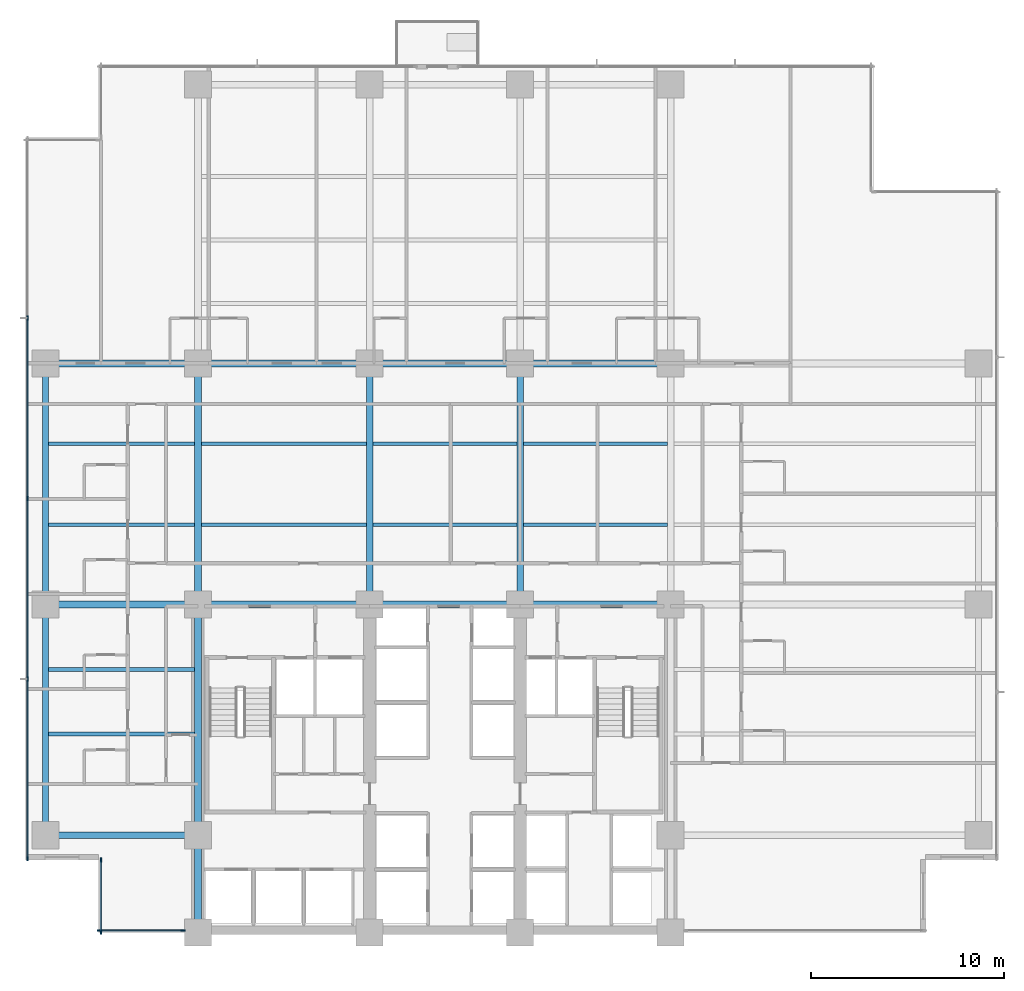
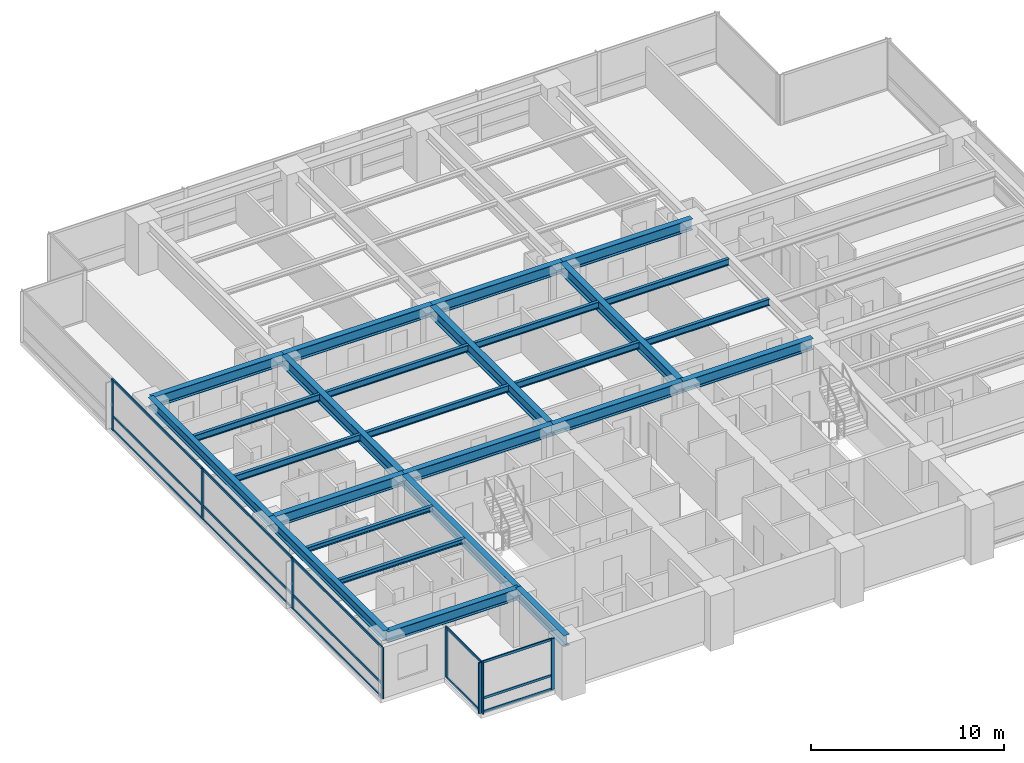
# One storey, part 2 of 17: 26 beams, 22 members, 3 elements without a shape of their own.
"""IFC4 building model written with IfcOpenShell, lengths in metres."""

from ifc_helpers import new_model, si_unit, direction, frame, origin, origin_2d, place, context, subcontext, project, spatial, rectangle, i_section, extrude, material, layer, layer_set, material_profile, profile_set, type_object, element, aggregate, save


model = new_model("IFC4")

# Units and contexts
model_context = context("Model", 3, precision=1e-05, world=origin(), true_north=direction((0.0, 1.0)))
body_context = subcontext(model_context, "Body", "Model", "MODEL_VIEW")
ifc_project = project(units=[si_unit("LENGTHUNIT", "METRE"), si_unit("AREAUNIT", "SQUARE_METRE"), si_unit("VOLUMEUNIT", "CUBIC_METRE"), si_unit("PLANEANGLEUNIT", "RADIAN"), si_unit("MASSUNIT", "GRAM", prefix="KILO")], contexts=[model_context])

# Site, building, storey
site_placement = place(None, origin())
site = spatial("IfcSite", under=ifc_project, at=site_placement, CompositionType="ELEMENT")
building_placement = place(site_placement, origin())
building = spatial("IfcBuilding", under=site, at=building_placement, Name="Qalmaran Belvedere Hotel", CompositionType="ELEMENT")
storey_placement = place(building_placement, frame((0.0, 0.0, 61.39990234375)))
storey = spatial("IfcBuildingStorey", under=building, at=storey_placement, Name="L15", CompositionType="ELEMENT", Elevation=61.39990234375)

# Beams
ifc_material_1 = material(Name="Steel S355JR", Category="steel")
ifc_material_profile_1 = material_profile(ifc_material_1, i_section(OverallWidth=0.202880859375, OverallDepth=0.302978515625, WebThickness=0.007568359375, FlangeThickness=0.01318359375, FilletRadius=0.012939453125, at=origin_2d()), Name="W310X60")
ifc_profile_set_1 = profile_set([ifc_material_profile_1], Name="Steel S355JR")
beam_type_1 = type_object("IfcBeamType", Name="BM-JST-W310X60", PredefinedType="JOIST", material=ifc_profile_set_1)
for number, where, z_axis, x_axis, name in (
    (1, (12.5615234375, 13.800048828125, 3.068603515625), (1.0, 0.0, 0.0), (0.0, 1.0, 0.0), "L15 West Wing Joist 038"),
    (2, (12.5615234375, 17.14990234375, 3.068603515625), (1.0, 0.0, 0.0), (0.0, 1.0, 0.0), "L15 West Wing Joist 040"),
):
    element("IfcBeam", number, at=place(storey_placement, frame(where, z_axis=z_axis, x_axis=x_axis)), inside=storey, type_object=beam_type_1, Name=name, PredefinedType="JOIST", context=body_context, shape_type="SweptSolid", body=[
        extrude(i_section(OverallWidth=0.202880859375, OverallDepth=0.302978515625, WebThickness=0.007568359375, FlangeThickness=0.01318359375, FilletRadius=0.012939453125, at=origin_2d()), origin(), (0.0, 0.0, 1.0), 7.56298828125),
    ])
ifc_material_profile_2 = material_profile(ifc_material_1, i_section(OverallWidth=0.180908203125, OverallDepth=0.4169921875, WebThickness=0.010986328125, FlangeThickness=0.018310546875, FilletRadius=0.014892578125, at=origin_2d()), Name="W410X85")
ifc_profile_set_2 = profile_set([ifc_material_profile_2], Name="Steel S355JR")
beam_type_2 = type_object("IfcBeamType", Name="BM-SB1-W410X85", PredefinedType="BEAM", material=ifc_profile_set_2)
beam_1_placement = place(storey_placement, frame((12.5615234375, 24.64990234375, 3.01171875), z_axis=(1.0, 0.0, 0.0), x_axis=(0.0, 1.0, 0.0)))
element("IfcBeam", 3, at=beam_1_placement, inside=storey, type_object=beam_type_2, Name="L15 West Secondary Beam 028", PredefinedType="BEAM", context=body_context, shape_type="SweptSolid", body=[
    extrude(i_section(OverallWidth=0.180908203125, OverallDepth=0.4169921875, WebThickness=0.010986328125, FlangeThickness=0.018310546875, FilletRadius=0.014892578125, at=origin_2d()), origin(), (0.0, 0.0, 1.0), 7.56298828125),
])
beam_2_placement = place(storey_placement, frame((20.4755859375, 24.64990234375, 3.01171875), z_axis=(1.0, 0.0, 0.0), x_axis=(0.0, 1.0, 0.0)))
element("IfcBeam", 4, at=beam_2_placement, inside=storey, type_object=beam_type_2, Name="L15 Secondary Floor Beam 029", PredefinedType="BEAM", context=body_context, shape_type="SweptSolid", body=[
    extrude(i_section(OverallWidth=0.180908203125, OverallDepth=0.4169921875, WebThickness=0.010986328125, FlangeThickness=0.018310546875, FilletRadius=0.014892578125, at=origin_2d()), origin(), (0.0, 0.0, 1.0), 8.548828125),
])
for number, where, z_axis, x_axis, name in (
    (5, (29.37548828125, 24.64990234375, 3.01171875), (1.0, 0.0, 0.0), (0.0, 1.0, 0.0), "L15 Secondary Floor Beam 030"),
    (6, (37.175537109375, 24.64990234375, 3.01171875), (1.0, 0.0, 0.0), (0.0, 1.0, 0.0), "L15 Secondary Floor Beam 031"),
):
    element("IfcBeam", number, at=place(storey_placement, frame(where, z_axis=z_axis, x_axis=x_axis)), inside=storey, type_object=beam_type_2, Name=name, PredefinedType="BEAM", context=body_context, shape_type="SweptSolid", body=[
        extrude(i_section(OverallWidth=0.180908203125, OverallDepth=0.4169921875, WebThickness=0.010986328125, FlangeThickness=0.018310546875, FilletRadius=0.014892578125, at=origin_2d()), origin(), (0.0, 0.0, 1.0), 7.448974609375),
    ])
beam_3_placement = place(storey_placement, frame((12.5615234375, 28.85009765625, 3.01171875), z_axis=(1.0, 0.0, 0.0), x_axis=(0.0, 1.0, 0.0)))
element("IfcBeam", 7, at=beam_3_placement, inside=storey, type_object=beam_type_2, Name="L15 West Secondary Beam 033", PredefinedType="BEAM", context=body_context, shape_type="SweptSolid", body=[
    extrude(i_section(OverallWidth=0.180908203125, OverallDepth=0.4169921875, WebThickness=0.010986328125, FlangeThickness=0.018310546875, FilletRadius=0.014892578125, at=origin_2d()), origin(), (0.0, 0.0, 1.0), 7.56298828125),
])
beam_4_placement = place(storey_placement, frame((20.4755859375, 28.85009765625, 3.01171875), z_axis=(1.0, 0.0, 0.0), x_axis=(0.0, 1.0, 0.0)))
element("IfcBeam", 8, at=beam_4_placement, inside=storey, type_object=beam_type_2, Name="L15 Secondary Floor Beam 034", PredefinedType="BEAM", context=body_context, shape_type="SweptSolid", body=[
    extrude(i_section(OverallWidth=0.180908203125, OverallDepth=0.4169921875, WebThickness=0.010986328125, FlangeThickness=0.018310546875, FilletRadius=0.014892578125, at=origin_2d()), origin(), (0.0, 0.0, 1.0), 8.548828125),
])
for number, where, z_axis, x_axis, name in (
    (9, (29.37548828125, 28.85009765625, 3.01171875), (1.0, 0.0, 0.0), (0.0, 1.0, 0.0), "L15 Secondary Floor Beam 035"),
    (10, (37.175537109375, 28.85009765625, 3.01171875), (1.0, 0.0, 0.0), (0.0, 1.0, 0.0), "L15 Secondary Floor Beam 036"),
):
    element("IfcBeam", number, at=place(storey_placement, frame(where, z_axis=z_axis, x_axis=x_axis)), inside=storey, type_object=beam_type_2, Name=name, PredefinedType="BEAM", context=body_context, shape_type="SweptSolid", body=[
        extrude(i_section(OverallWidth=0.180908203125, OverallDepth=0.4169921875, WebThickness=0.010986328125, FlangeThickness=0.018310546875, FilletRadius=0.014892578125, at=origin_2d()), origin(), (0.0, 0.0, 1.0), 7.448974609375),
    ])
ifc_material_profile_3 = material_profile(ifc_material_1, i_section(OverallWidth=0.326904296875, OverallDepth=0.6220703125, WebThickness=0.015380859375, FlangeThickness=0.0244140625, FilletRadius=0.02001953125, at=origin_2d()), Name="W610X195")
ifc_profile_set_3 = profile_set([ifc_material_profile_3], Name="Steel S355JR")
beam_type_3 = type_object("IfcBeamType", Name="BM-SP1-W610X195", PredefinedType="SPANDREL", material=ifc_profile_set_3)
beam_5_placement = place(storey_placement, frame((12.39990234375, 8.550048828125, 2.9091796875), z_axis=(0.0, 1.0, 0.0), x_axis=(-1.0, 0.0, 0.0)))
element("IfcBeam", 11, at=beam_5_placement, inside=storey, type_object=beam_type_3, Name="L15 Perimeter Spandrel 01", PredefinedType="SPANDREL", context=body_context, shape_type="SweptSolid", body=[
    extrude(i_section(OverallWidth=0.326904296875, OverallDepth=0.6220703125, WebThickness=0.015380859375, FlangeThickness=0.0244140625, FilletRadius=0.02001953125, at=origin_2d()), origin(), (0.0, 0.0, 1.0), 11.949951171875),
])
beam_6_placement = place(storey_placement, frame((12.39990234375, 20.5, 2.9091796875), z_axis=(0.0, 1.0, 0.0), x_axis=(-1.0, 0.0, 0.0)))
element("IfcBeam", 12, at=beam_6_placement, inside=storey, type_object=beam_type_3, Name="L15 Perimeter Spandrel 02", PredefinedType="SPANDREL", context=body_context, shape_type="SweptSolid", body=[
    extrude(i_section(OverallWidth=0.326904296875, OverallDepth=0.6220703125, WebThickness=0.015380859375, FlangeThickness=0.0244140625, FilletRadius=0.02001953125, at=origin_2d()), origin(), (0.0, 0.0, 1.0), 12.5),
])
ifc_material_profile_4 = material_profile(ifc_material_1, i_section(OverallWidth=0.35498046875, OverallDepth=0.695068359375, WebThickness=0.015380859375, FlangeThickness=0.02490234375, FilletRadius=0.02197265625, at=origin_2d()), Name="W690X217")
ifc_profile_set_4 = profile_set([ifc_material_profile_4], Name="Steel S355JR")
beam_type_4 = type_object("IfcBeamType", Name="BM-Z1-W690X217", PredefinedType="USERDEFINED", material=ifc_profile_set_4)
beam_7_placement = place(storey_placement, frame((20.300048828125, 20.5, 2.87255859375), z_axis=(1.0, 0.0, 0.0), x_axis=(0.0, 1.0, 0.0)))
element("IfcBeam", 13, at=beam_7_placement, inside=storey, type_object=beam_type_4, Name="L15 Interior E-W Girder 08", ObjectType="GIRDER", PredefinedType="USERDEFINED", context=body_context, shape_type="SweptSolid", body=[
    extrude(i_section(OverallWidth=0.35498046875, OverallDepth=0.695068359375, WebThickness=0.015380859375, FlangeThickness=0.02490234375, FilletRadius=0.02197265625, at=origin_2d()), origin(), (0.0, 0.0, 1.0), 8.89990234375),
])
for number, where, z_axis, x_axis, name in (
    (14, (29.199951171875, 20.5, 2.87255859375), (1.0, 0.0, 0.0), (0.0, 1.0, 0.0), "L15 Interior E-W Girder 09"),
    (15, (37.0, 20.5, 2.87255859375), (1.0, 0.0, 0.0), (0.0, 1.0, 0.0), "L15 Interior E-W Girder 10"),
):
    element("IfcBeam", number, at=place(storey_placement, frame(where, z_axis=z_axis, x_axis=x_axis)), inside=storey, type_object=beam_type_4, Name=name, ObjectType="GIRDER", PredefinedType="USERDEFINED", context=body_context, shape_type="SweptSolid", body=[
        extrude(i_section(OverallWidth=0.35498046875, OverallDepth=0.695068359375, WebThickness=0.015380859375, FlangeThickness=0.02490234375, FilletRadius=0.02197265625, at=origin_2d()), origin(), (0.0, 0.0, 1.0), 7.800048828125),
    ])
beam_8_placement = place(storey_placement, frame((20.300048828125, 33.0, 2.87255859375), z_axis=(1.0, 0.0, 0.0), x_axis=(0.0, 1.0, 0.0)))
element("IfcBeam", 16, at=beam_8_placement, inside=storey, type_object=beam_type_4, Name="L15 Interior E-W Girder 11", ObjectType="GIRDER", PredefinedType="USERDEFINED", context=body_context, shape_type="SweptSolid", body=[
    extrude(i_section(OverallWidth=0.35498046875, OverallDepth=0.695068359375, WebThickness=0.015380859375, FlangeThickness=0.02490234375, FilletRadius=0.02197265625, at=origin_2d()), origin(), (0.0, 0.0, 1.0), 8.89990234375),
])
for number, where, z_axis, x_axis, name in (
    (17, (29.199951171875, 33.0, 2.87255859375), (1.0, 0.0, 0.0), (0.0, 1.0, 0.0), "L15 Interior E-W Girder 12"),
    (18, (37.0, 33.0, 2.87255859375), (1.0, 0.0, 0.0), (0.0, 1.0, 0.0), "L15 Interior E-W Girder 13"),
):
    element("IfcBeam", number, at=place(storey_placement, frame(where, z_axis=z_axis, x_axis=x_axis)), inside=storey, type_object=beam_type_4, Name=name, ObjectType="GIRDER", PredefinedType="USERDEFINED", context=body_context, shape_type="SweptSolid", body=[
        extrude(i_section(OverallWidth=0.35498046875, OverallDepth=0.695068359375, WebThickness=0.015380859375, FlangeThickness=0.02490234375, FilletRadius=0.02197265625, at=origin_2d()), origin(), (0.0, 0.0, 1.0), 7.800048828125),
    ])
for number, where, z_axis, x_axis, name in (
    (19, (20.300048828125, 20.5, 2.87255859375), (0.0, 1.0, 0.0), (-1.0, 0.0, 0.0), "L15 Mid-Plate N-S Girder 14"),
    (20, (29.199951171875, 20.5, 2.87255859375), (0.0, 1.0, 0.0), (-1.0, 0.0, 0.0), "L15 Mid-Plate N-S Girder 16"),
    (21, (37.0, 20.5, 2.87255859375), (0.0, 1.0, 0.0), (-1.0, 0.0, 0.0), "L15 Mid-Plate N-S Girder 18"),
):
    element("IfcBeam", number, at=place(storey_placement, frame(where, z_axis=z_axis, x_axis=x_axis)), inside=storey, type_object=beam_type_4, Name=name, ObjectType="GIRDER", PredefinedType="USERDEFINED", context=body_context, shape_type="SweptSolid", body=[
        extrude(i_section(OverallWidth=0.35498046875, OverallDepth=0.695068359375, WebThickness=0.015380859375, FlangeThickness=0.02490234375, FilletRadius=0.02197265625, at=origin_2d()), origin(), (0.0, 0.0, 1.0), 12.5),
    ])
for number, where, z_axis, x_axis, name in (
    (22, (12.39990234375, 8.550048828125, 2.87255859375), (1.0, 0.0, 0.0), (0.0, 1.0, 0.0), "L15 West Wing Girder 22"),
    (23, (12.39990234375, 20.5, 2.87255859375), (1.0, 0.0, 0.0), (0.0, 1.0, 0.0), "L15 West Wing Girder 23"),
    (24, (12.39990234375, 33.0, 2.87255859375), (1.0, 0.0, 0.0), (0.0, 1.0, 0.0), "L15 West Wing Girder 24"),
):
    element("IfcBeam", number, at=place(storey_placement, frame(where, z_axis=z_axis, x_axis=x_axis)), inside=storey, type_object=beam_type_4, Name=name, ObjectType="GIRDER", PredefinedType="USERDEFINED", context=body_context, shape_type="SweptSolid", body=[
        extrude(i_section(OverallWidth=0.35498046875, OverallDepth=0.695068359375, WebThickness=0.015380859375, FlangeThickness=0.02490234375, FilletRadius=0.02197265625, at=origin_2d()), origin(), (0.0, 0.0, 1.0), 7.900146484375),
    ])
beam_9_placement = place(storey_placement, frame((20.300048828125, 3.5, 2.87255859375), z_axis=(0.0, 1.0, 0.0), x_axis=(-1.0, 0.0, 0.0)))
element("IfcBeam", 25, at=beam_9_placement, inside=storey, type_object=beam_type_4, Name="L15 West Core Edge Girder A", ObjectType="GIRDER", PredefinedType="USERDEFINED", context=body_context, shape_type="SweptSolid", body=[
    extrude(i_section(OverallWidth=0.35498046875, OverallDepth=0.695068359375, WebThickness=0.015380859375, FlangeThickness=0.02490234375, FilletRadius=0.02197265625, at=origin_2d()), origin(), (0.0, 0.0, 1.0), 5.050048828125),
])
beam_10_placement = place(storey_placement, frame((20.300048828125, 8.550048828125, 2.87255859375), z_axis=(0.0, 1.0, 0.0), x_axis=(-1.0, 0.0, 0.0)))
element("IfcBeam", 26, at=beam_10_placement, inside=storey, type_object=beam_type_4, Name="L15 West Core Edge Girder B", ObjectType="GIRDER", PredefinedType="USERDEFINED", context=body_context, shape_type="SweptSolid", body=[
    extrude(i_section(OverallWidth=0.35498046875, OverallDepth=0.695068359375, WebThickness=0.015380859375, FlangeThickness=0.02490234375, FilletRadius=0.02197265625, at=origin_2d()), origin(), (0.0, 0.0, 1.0), 11.949951171875),
])

# Curtain wall, members
ifc_material_2 = material(Name="Anodised Bronze Aluminium", Category="aluminium")
ifc_layer = layer(ifc_material_2, 0.2099609375, Name="Anodised Bronze Aluminium")
ifc_layer_set = layer_set([ifc_layer], Name="Anodised Bronze Aluminium")
curtain_wall_type = type_object("IfcCurtainWallType", Name="CW2-TOWER-LOWER", PredefinedType="NOTDEFINED", material=ifc_layer_set)
curtain_wall_1_placement = place(storey_placement, origin())
curtain_wall_1 = element("IfcCurtainWall", 27, at=curtain_wall_1_placement, inside=storey, type_object=curtain_wall_type, Name="L15 Curtain Wall CW2", PredefinedType="NOTDEFINED")
ifc_material_profile_5 = material_profile(ifc_material_2, rectangle(XDim=0.074951171875, YDim=0.219970703125, at=origin_2d()), Name="CWM75X220")
ifc_profile_set_5 = profile_set([ifc_material_profile_5], Name="Anodised Bronze Aluminium")
member_type_1 = type_object("IfcMemberType", Name="CWM-75X220", PredefinedType="MULLION", material=ifc_profile_set_5)
member_1_placement = place(storey_placement, frame((15.1875, 3.6201171875, 0.0), z_axis=(0.0, 0.0, 1.0), x_axis=(0.0, 1.0, 0.0)))
member_1 = element("IfcMember", 28, at=member_1_placement, type_object=member_type_1, Name="CW2 mullion 1", PredefinedType="MULLION", context=body_context, shape_type="SweptSolid", body=[
    extrude(rectangle(XDim=0.074951171875, YDim=0.219970703125, at=origin_2d()), origin(), (0.0, 0.0, 1.0), 3.22021484375),
])
member_2_placement = place(storey_placement, frame((19.5224609375, 3.6201171875, 0.0), z_axis=(0.0, 0.0, 1.0), x_axis=(0.0, 1.0, 0.0)))
member_2 = element("IfcMember", 29, at=member_2_placement, type_object=member_type_1, Name="CW2 mullion 2", PredefinedType="MULLION", context=body_context, shape_type="SweptSolid", body=[
    extrude(rectangle(XDim=0.074951171875, YDim=0.219970703125, at=origin_2d()), origin(), (0.0, 0.0, 1.0), 3.22021484375),
])

curtain_wall_2_placement = place(storey_placement, origin())
curtain_wall_2 = element("IfcCurtainWall", 30, at=curtain_wall_2_placement, inside=storey, type_object=curtain_wall_type, Name="L15 Curtain Wall CW2", PredefinedType="NOTDEFINED")
member_3_placement = place(storey_placement, frame((11.469970703125, 35.35009765625, 0.0), z_axis=(0.0, 0.0, 1.0), x_axis=(1.0, 0.0, 0.0)))
member_3 = element("IfcMember", 31, at=member_3_placement, type_object=member_type_1, Name="CW2 mullion 2", PredefinedType="MULLION", context=body_context, shape_type="SweptSolid", body=[
    extrude(rectangle(XDim=0.074951171875, YDim=0.219970703125, at=origin_2d()), origin(), (0.0, 0.0, 1.0), 3.22021484375),
])
member_4_placement = place(storey_placement, frame((11.469970703125, 26.0, 0.0), z_axis=(0.0, 0.0, 1.0), x_axis=(1.0, 0.0, 0.0)))
member_4 = element("IfcMember", 32, at=member_4_placement, type_object=member_type_1, Name="CW2 mullion 3", PredefinedType="MULLION", context=body_context, shape_type="SweptSolid", body=[
    extrude(rectangle(XDim=0.074951171875, YDim=0.219970703125, at=origin_2d()), origin(), (0.0, 0.0, 1.0), 3.22021484375),
])
member_5_placement = place(storey_placement, frame((11.469970703125, 16.64990234375, 0.0), z_axis=(0.0, 0.0, 1.0), x_axis=(1.0, 0.0, 0.0)))
member_5 = element("IfcMember", 33, at=member_5_placement, type_object=member_type_1, Name="CW2 mullion 4", PredefinedType="MULLION", context=body_context, shape_type="SweptSolid", body=[
    extrude(rectangle(XDim=0.074951171875, YDim=0.219970703125, at=origin_2d()), origin(), (0.0, 0.0, 1.0), 3.22021484375),
])
member_6_placement = place(storey_placement, frame((11.469970703125, 7.33740234375, 0.0), z_axis=(0.0, 0.0, 1.0), x_axis=(1.0, 0.0, 0.0)))
member_6 = element("IfcMember", 34, at=member_6_placement, type_object=member_type_1, Name="CW2 mullion 5", PredefinedType="MULLION", context=body_context, shape_type="SweptSolid", body=[
    extrude(rectangle(XDim=0.074951171875, YDim=0.219970703125, at=origin_2d()), origin(), (0.0, 0.0, 1.0), 3.22021484375),
])

curtain_wall_3_placement = place(storey_placement, origin())
curtain_wall_3 = element("IfcCurtainWall", 35, at=curtain_wall_3_placement, inside=storey, type_object=curtain_wall_type, Name="L15 Curtain Wall CW2", PredefinedType="NOTDEFINED")
member_7_placement = place(storey_placement, frame((15.27001953125, 7.262451171875, 0.0), z_axis=(0.0, 0.0, 1.0), x_axis=(1.0, 0.0, 0.0)))
member_7 = element("IfcMember", 36, at=member_7_placement, type_object=member_type_1, Name="CW2 mullion 1", PredefinedType="MULLION", context=body_context, shape_type="SweptSolid", body=[
    extrude(rectangle(XDim=0.074951171875, YDim=0.219970703125, at=origin_2d()), origin(), (0.0, 0.0, 1.0), 3.22021484375),
])
member_8_placement = place(storey_placement, frame((15.27001953125, 3.53759765625, 0.0), z_axis=(0.0, 0.0, 1.0), x_axis=(1.0, 0.0, 0.0)))
member_8 = element("IfcMember", 37, at=member_8_placement, type_object=member_type_1, Name="CW2 mullion 2", PredefinedType="MULLION", context=body_context, shape_type="SweptSolid", body=[
    extrude(rectangle(XDim=0.074951171875, YDim=0.219970703125, at=origin_2d()), origin(), (0.0, 0.0, 1.0), 3.22021484375),
])

# Member
ifc_material_profile_6 = material_profile(ifc_material_2, rectangle(XDim=0.070068359375, YDim=0.14990234375, at=origin_2d()), Name="CWT70X150")
ifc_profile_set_6 = profile_set([ifc_material_profile_6], Name="Anodised Bronze Aluminium")
member_type_2 = type_object("IfcMemberType", Name="CWT-70X150", PredefinedType="USERDEFINED", material=ifc_profile_set_6)
member_9_placement = place(storey_placement, frame((15.22509765625, 3.6201171875, 0.03515625), z_axis=(1.0, 0.0, 0.0), x_axis=(0.0, 1.0, 0.0)))
member_9 = element("IfcMember", 38, at=member_9_placement, type_object=member_type_2, Name="CW2 transom 1.1", ObjectType="TRANSOM", PredefinedType="USERDEFINED", context=body_context, shape_type="SweptSolid", body=[
    extrude(rectangle(XDim=0.070068359375, YDim=0.14990234375, at=origin_2d()), origin(), (0.0, 0.0, 1.0), 4.260009765625),
])

member_10_placement = place(storey_placement, frame((15.22509765625, 3.6201171875, 0.901611328125), z_axis=(1.0, 0.0, 0.0), x_axis=(0.0, 1.0, 0.0)))
member_10 = element("IfcMember", 39, at=member_10_placement, type_object=member_type_2, Name="CW2 transom 1.2", ObjectType="TRANSOM", PredefinedType="USERDEFINED", context=body_context, shape_type="SweptSolid", body=[
    extrude(rectangle(XDim=0.070068359375, YDim=0.14990234375, at=origin_2d()), origin(), (0.0, 0.0, 1.0), 4.260009765625),
])

member_11_placement = place(storey_placement, frame((15.22509765625, 3.6201171875, 3.18505859375), z_axis=(1.0, 0.0, 0.0), x_axis=(0.0, 1.0, 0.0)))
member_11 = element("IfcMember", 40, at=member_11_placement, type_object=member_type_2, Name="CW2 transom 1.3", ObjectType="TRANSOM", PredefinedType="USERDEFINED", context=body_context, shape_type="SweptSolid", body=[
    extrude(rectangle(XDim=0.070068359375, YDim=0.14990234375, at=origin_2d()), origin(), (0.0, 0.0, 1.0), 4.260009765625),
])

aggregate(curtain_wall_1, [member_1, member_2, member_9, member_10, member_11])

member_12_placement = place(storey_placement, frame((11.469970703125, 35.3125, 0.03515625), z_axis=(0.0, -1.0, 0.0), x_axis=(1.0, 0.0, 0.0)))
member_12 = element("IfcMember", 41, at=member_12_placement, type_object=member_type_2, Name="CW2 transom 2.1", ObjectType="TRANSOM", PredefinedType="USERDEFINED", context=body_context, shape_type="SweptSolid", body=[
    extrude(rectangle(XDim=0.070068359375, YDim=0.14990234375, at=origin_2d()), origin(), (0.0, 0.0, 1.0), 9.27490234375),
])

member_13_placement = place(storey_placement, frame((11.469970703125, 35.3125, 0.901611328125), z_axis=(0.0, -1.0, 0.0), x_axis=(1.0, 0.0, 0.0)))
member_13 = element("IfcMember", 42, at=member_13_placement, type_object=member_type_2, Name="CW2 transom 2.2", ObjectType="TRANSOM", PredefinedType="USERDEFINED", context=body_context, shape_type="SweptSolid", body=[
    extrude(rectangle(XDim=0.070068359375, YDim=0.14990234375, at=origin_2d()), origin(), (0.0, 0.0, 1.0), 9.27490234375),
])

member_14_placement = place(storey_placement, frame((11.469970703125, 35.3125, 3.18505859375), z_axis=(0.0, -1.0, 0.0), x_axis=(1.0, 0.0, 0.0)))
member_14 = element("IfcMember", 43, at=member_14_placement, type_object=member_type_2, Name="CW2 transom 2.3", ObjectType="TRANSOM", PredefinedType="USERDEFINED", context=body_context, shape_type="SweptSolid", body=[
    extrude(rectangle(XDim=0.070068359375, YDim=0.14990234375, at=origin_2d()), origin(), (0.0, 0.0, 1.0), 9.27490234375),
])

member_15_placement = place(storey_placement, frame((11.469970703125, 25.96240234375, 0.03515625), z_axis=(0.0, -1.0, 0.0), x_axis=(1.0, 0.0, 0.0)))
member_15 = element("IfcMember", 44, at=member_15_placement, type_object=member_type_2, Name="CW2 transom 3.1", ObjectType="TRANSOM", PredefinedType="USERDEFINED", context=body_context, shape_type="SweptSolid", body=[
    extrude(rectangle(XDim=0.070068359375, YDim=0.14990234375, at=origin_2d()), origin(), (0.0, 0.0, 1.0), 9.27490234375),
])

member_16_placement = place(storey_placement, frame((11.469970703125, 25.96240234375, 0.901611328125), z_axis=(0.0, -1.0, 0.0), x_axis=(1.0, 0.0, 0.0)))
member_16 = element("IfcMember", 45, at=member_16_placement, type_object=member_type_2, Name="CW2 transom 3.2", ObjectType="TRANSOM", PredefinedType="USERDEFINED", context=body_context, shape_type="SweptSolid", body=[
    extrude(rectangle(XDim=0.070068359375, YDim=0.14990234375, at=origin_2d()), origin(), (0.0, 0.0, 1.0), 9.27490234375),
])

member_17_placement = place(storey_placement, frame((11.469970703125, 25.96240234375, 3.18505859375), z_axis=(0.0, -1.0, 0.0), x_axis=(1.0, 0.0, 0.0)))
member_17 = element("IfcMember", 46, at=member_17_placement, type_object=member_type_2, Name="CW2 transom 3.3", ObjectType="TRANSOM", PredefinedType="USERDEFINED", context=body_context, shape_type="SweptSolid", body=[
    extrude(rectangle(XDim=0.070068359375, YDim=0.14990234375, at=origin_2d()), origin(), (0.0, 0.0, 1.0), 9.27490234375),
])

member_18_placement = place(storey_placement, frame((11.469970703125, 16.612548828125, 0.03515625), z_axis=(0.0, -1.0, 0.0), x_axis=(1.0, 0.0, 0.0)))
member_18 = element("IfcMember", 47, at=member_18_placement, type_object=member_type_2, Name="CW2 transom 4.1", ObjectType="TRANSOM", PredefinedType="USERDEFINED", context=body_context, shape_type="SweptSolid", body=[
    extrude(rectangle(XDim=0.070068359375, YDim=0.14990234375, at=origin_2d()), origin(), (0.0, 0.0, 1.0), 9.237548828125),
])

member_19_placement = place(storey_placement, frame((11.469970703125, 16.612548828125, 0.901611328125), z_axis=(0.0, -1.0, 0.0), x_axis=(1.0, 0.0, 0.0)))
member_19 = element("IfcMember", 48, at=member_19_placement, type_object=member_type_2, Name="CW2 transom 4.2", ObjectType="TRANSOM", PredefinedType="USERDEFINED", context=body_context, shape_type="SweptSolid", body=[
    extrude(rectangle(XDim=0.070068359375, YDim=0.14990234375, at=origin_2d()), origin(), (0.0, 0.0, 1.0), 9.237548828125),
])

member_20_placement = place(storey_placement, frame((11.469970703125, 16.612548828125, 3.18505859375), z_axis=(0.0, -1.0, 0.0), x_axis=(1.0, 0.0, 0.0)))
member_20 = element("IfcMember", 49, at=member_20_placement, type_object=member_type_2, Name="CW2 transom 4.3", ObjectType="TRANSOM", PredefinedType="USERDEFINED", context=body_context, shape_type="SweptSolid", body=[
    extrude(rectangle(XDim=0.070068359375, YDim=0.14990234375, at=origin_2d()), origin(), (0.0, 0.0, 1.0), 9.237548828125),
])

aggregate(curtain_wall_2, [member_3, member_4, member_5, member_6, member_12, member_13, member_14, member_15, member_16, member_17, member_18, member_19, member_20])

member_21_placement = place(storey_placement, frame((15.27001953125, 7.22509765625, 0.03515625), z_axis=(0.0, -1.0, 0.0), x_axis=(1.0, 0.0, 0.0)))
member_21 = element("IfcMember", 50, at=member_21_placement, type_object=member_type_2, Name="CW2 transom 1.1", ObjectType="TRANSOM", PredefinedType="USERDEFINED", context=body_context, shape_type="SweptSolid", body=[
    extrude(rectangle(XDim=0.070068359375, YDim=0.14990234375, at=origin_2d()), origin(), (0.0, 0.0, 1.0), 3.650146484375),
])

member_22_placement = place(storey_placement, frame((15.27001953125, 7.22509765625, 3.18505859375), z_axis=(0.0, -1.0, 0.0), x_axis=(1.0, 0.0, 0.0)))
member_22 = element("IfcMember", 51, at=member_22_placement, type_object=member_type_2, Name="CW2 transom 1.2", ObjectType="TRANSOM", PredefinedType="USERDEFINED", context=body_context, shape_type="SweptSolid", body=[
    extrude(rectangle(XDim=0.070068359375, YDim=0.14990234375, at=origin_2d()), origin(), (0.0, 0.0, 1.0), 3.650146484375),
])

aggregate(curtain_wall_3, [member_7, member_8, member_21, member_22])

save(model, "model.ifc")
